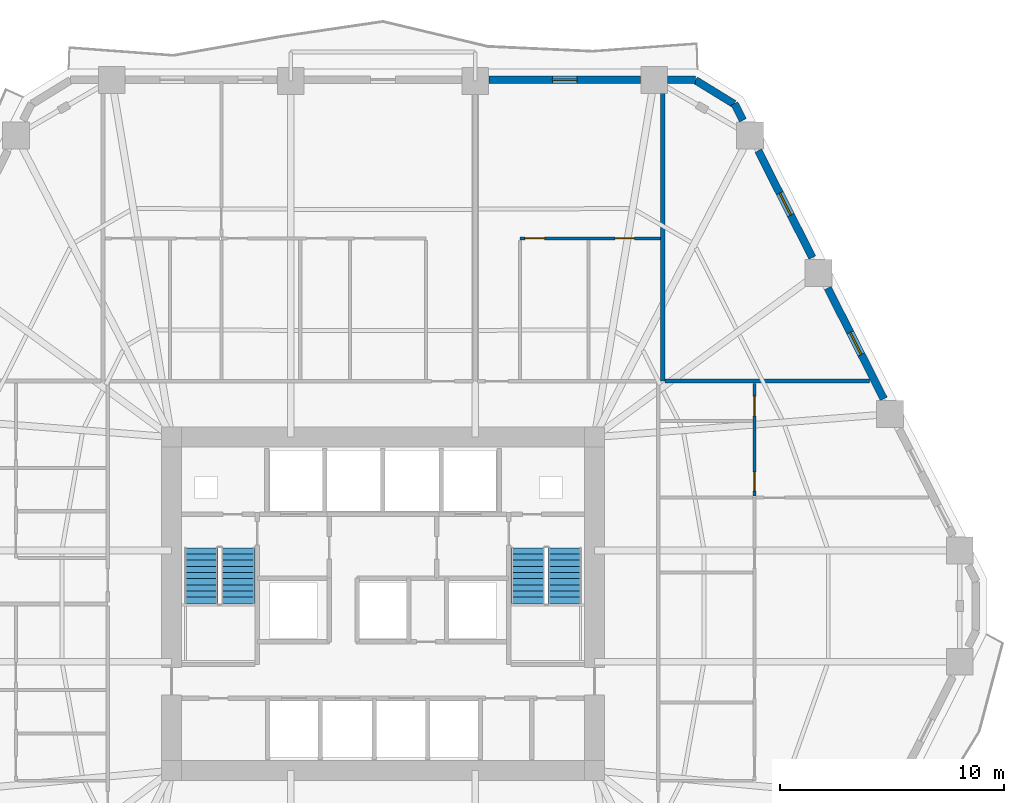
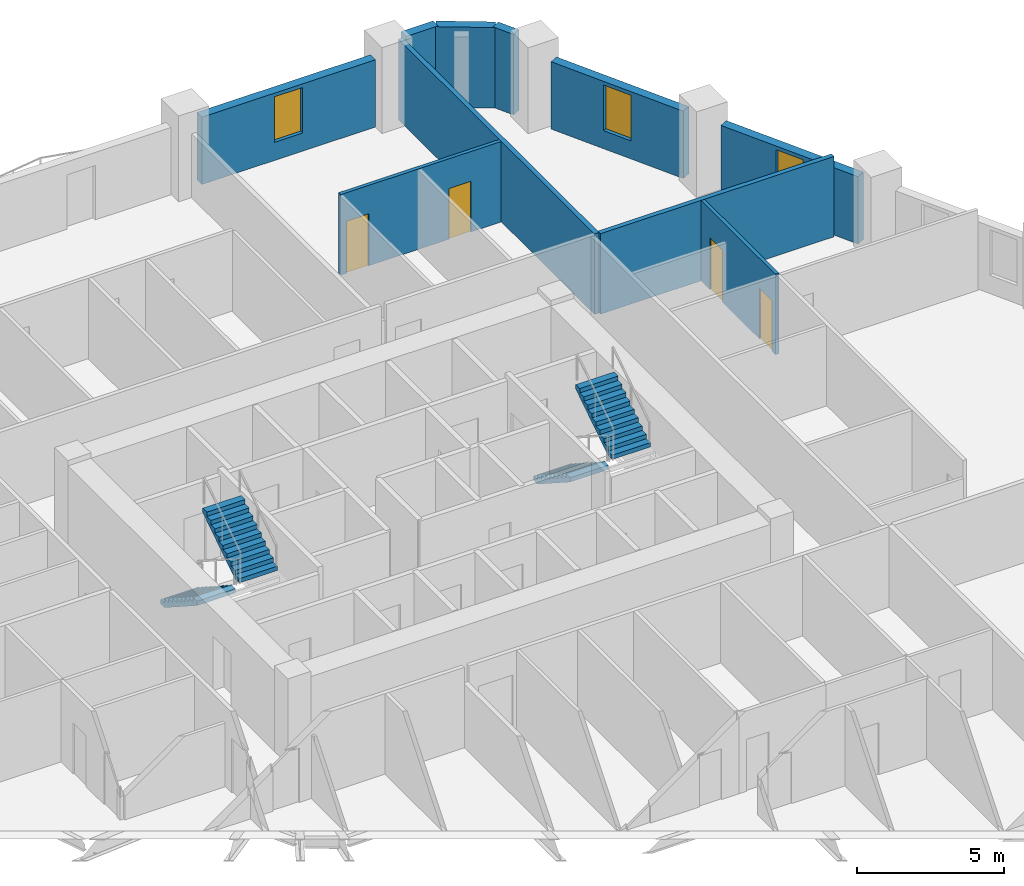
# One storey, part 8 of 12: 10 walls, 4 doors, 4 stair flights, 3 windows, 7 openings, 2 elements without a shape of their own.
"""IFC4 building model written with IfcOpenShell, lengths in metres."""

from ifc_helpers import new_model, si_unit, direction, frame, frame_2d, origin, place, context, subcontext, project, spatial, polyline, rectangle, outline, extrude, material, layer, layer_set, type_object, element, fill, aggregate, save


model = new_model("IFC4")

# Units and contexts
model_context = context("Model", 3, precision=1e-05, world=origin(), true_north=direction((0.0, 1.0)))
body_context = subcontext(model_context, "Body", "Model", "MODEL_VIEW")
ifc_project = project(units=[si_unit("LENGTHUNIT", "METRE"), si_unit("AREAUNIT", "SQUARE_METRE"), si_unit("VOLUMEUNIT", "CUBIC_METRE"), si_unit("PLANEANGLEUNIT", "RADIAN"), si_unit("MASSUNIT", "GRAM", prefix="KILO")], contexts=[model_context])

# Site, building, storey
site_placement = place(None, origin())
site = spatial("IfcSite", under=ifc_project, at=site_placement, CompositionType="ELEMENT")
building_placement = place(site_placement, origin())
building = spatial("IfcBuilding", under=site, at=building_placement, Name="Cinnabar Lancet Tower", CompositionType="ELEMENT")
storey_placement = place(building_placement, frame((0.0, 0.0, 32.0)))
storey = spatial("IfcBuildingStorey", under=building, at=storey_placement, Name="L07", CompositionType="ELEMENT", Elevation=32.0)

# Walls
ifc_material_1 = material(Name="Fire-rated twin-frame acoustic drywall", Category="gypsum")
ifc_layer_1 = layer(ifc_material_1, 0.179931640625)
ifc_layer_set_1 = layer_set([ifc_layer_1], Name="Fire-rated twin-frame acoustic drywall")
wall_type_1 = type_object("IfcWallType", Name="ARC-WL-PARTY-180", PredefinedType="PARTITIONING", material=ifc_layer_set_1)
wall_1_placement = place(storey_placement, frame((44.89990234375, 35.85009765625, 0.0), z_axis=(0.0, 0.0, 1.0), x_axis=(0.0, 1.0, 0.0)))
element("IfcWall", 1, at=wall_1_placement, inside=storey, type_object=wall_type_1, Name="PW-L07-NPTY-449", PredefinedType="PARTITIONING", context=body_context, shape_type="SweptSolid", body=[
    extrude(rectangle(XDim=13.294921875, YDim=0.179931640625, at=frame_2d((6.6474609375, 0.0))), origin(), (0.0, 0.0, 1.0), 3.330078125),
])
wall_2_placement = place(storey_placement, frame((44.9951171875, 35.85009765625, 0.0), z_axis=(0.0, 0.0, 1.0), x_axis=(1.0, 0.0, 0.0)))
element("IfcWall", 2, at=wall_2_placement, inside=storey, type_object=wall_type_1, Name="PW-L07-ENB", PredefinedType="PARTITIONING", context=body_context, shape_type="SweptSolid", body=[
    extrude(rectangle(XDim=9.139892578125, YDim=0.179931640625, at=frame_2d((4.56982421875, 0.0))), origin(), (0.0, 0.0, 1.0), 3.330078125),
])

# Wall, openings, doors
ifc_material_2 = material(Name="Moisture-resistant cement-board plumbing wall", Category="masonry")
ifc_layer_2 = layer(ifc_material_2, 0.139892578125)
ifc_layer_set_2 = layer_set([ifc_layer_2], Name="Moisture-resistant cement-board plumbing wall")
wall_type_2 = type_object("IfcWallType", Name="ARC-WL-WET-140", PredefinedType="PLUMBINGWALL", material=ifc_layer_set_2)
wall_3_placement = place(storey_placement, frame((38.52197265625, 42.23193359375, 0.0), z_axis=(0.0, 0.0, 1.0), x_axis=(1.0, 0.0, 0.0)))
wall_3 = element("IfcWall", 3, at=wall_3_placement, inside=storey, type_object=wall_type_2, Name="UW-L07-N02-SPL", PredefinedType="PLUMBINGWALL", context=body_context, shape_type="SweptSolid", body=[
    extrude(rectangle(XDim=6.282958984375, YDim=0.139892578125, at=frame_2d((3.1416015625, 0.0))), origin(), (0.0, 0.0, 1.0), 3.330078125),
])
opening_1_placement = place(wall_3_placement, frame((4.2470703125, 0.0, 0.0)))
opening_1 = element("IfcOpeningElement", 4, at=opening_1_placement, cuts=wall_3, Name="Opening BD-01", PredefinedType="OPENING", context=body_context, shape_type="SweptSolid", body=[
    extrude(rectangle(XDim=0.860107421875, YDim=2.10009765625, at=frame_2d((0.43017578125, 1.050048828125))), frame((0.0, 0.079833984375, 0.0), z_axis=(0.0, -1.0, 0.0), x_axis=(1.0, 0.0, 0.0)), (0.0, 0.0, 1.0), 0.159912109375),
])
opening_2_placement = place(wall_3_placement, frame((0.219970703125, 0.0, 0.0)))
opening_2 = element("IfcOpeningElement", 5, at=opening_2_placement, cuts=wall_3, Name="Opening RD-02", PredefinedType="OPENING", context=body_context, shape_type="SweptSolid", body=[
    extrude(rectangle(XDim=0.8798828125, YDim=2.14990234375, at=frame_2d((0.43994140625, 1.074951171875))), frame((0.0, 0.079833984375, 0.0), z_axis=(0.0, -1.0, 0.0), x_axis=(1.0, 0.0, 0.0)), (0.0, 0.0, 1.0), 0.159912109375),
])
ifc_material_3 = material(Name="Moisture-resistant timber bathroom door", Category="wood")
door_type_1 = type_object("IfcDoorType", Name="ARC-DR-BATH", OperationType="NOTDEFINED", PredefinedType="DOOR", material=ifc_material_3)
door_1_placement = place(opening_1_placement, origin())
door_1 = element("IfcDoor", 6, at=door_1_placement, inside=storey, type_object=door_type_1, Name="DR-L07-N02-BTH", OperationType="SINGLE_SWING_RIGHT", OverallHeight=2.10009765625, OverallWidth=0.860107421875, PredefinedType="DOOR", context=body_context, shape_type="SweptSolid", body=[
    extrude(rectangle(XDim=0.860107421875, YDim=2.10009765625, at=frame_2d((0.43017578125, 1.050048828125))), frame((0.0, 0.02490234375, 0.0), z_axis=(0.0, -1.0, 0.0), x_axis=(1.0, 0.0, 0.0)), (0.0, 0.0, 1.0), 0.050048828125),
])
fill(opening_1, door_1)
ifc_material_4 = material(Name="Engineered timber study door", Category="wood")
door_type_2 = type_object("IfcDoorType", Name="ARC-DR-STUDY", OperationType="NOTDEFINED", PredefinedType="DOOR", material=ifc_material_4)
door_2_placement = place(opening_2_placement, origin())
door_2 = element("IfcDoor", 7, at=door_2_placement, inside=storey, type_object=door_type_2, Name="DR-L07-N02-KIT", OperationType="SINGLE_SWING_LEFT", OverallHeight=2.14990234375, OverallWidth=0.8798828125, PredefinedType="DOOR", context=body_context, shape_type="SweptSolid", body=[
    extrude(rectangle(XDim=0.8798828125, YDim=2.14990234375, at=frame_2d((0.43994140625, 1.074951171875))), frame((0.0, 0.02490234375, 0.0), z_axis=(0.0, -1.0, 0.0), x_axis=(1.0, 0.0, 0.0)), (0.0, 0.0, 1.0), 0.050048828125),
])
fill(opening_2, door_2)

wall_4_placement = place(storey_placement, frame((49.0, 30.718994140625, 0.0), z_axis=(0.0, 0.0, 1.0), x_axis=(0.0, 1.0, 0.0)))
wall_4 = element("IfcWall", 8, at=wall_4_placement, inside=storey, type_object=wall_type_2, Name="UW-L07-E01-SPM", PredefinedType="PLUMBINGWALL", context=body_context, shape_type="SweptSolid", body=[
    extrude(rectangle(XDim=5.035888671875, YDim=0.139892578125, at=frame_2d((2.51806640625, 0.0))), origin(), (0.0, 0.0, 1.0), 3.330078125),
])
opening_3_placement = place(wall_4_placement, frame((0.219970703125, 0.0, 0.0)))
opening_3 = element("IfcOpeningElement", 9, at=opening_3_placement, cuts=wall_4, Name="Opening BD-01", PredefinedType="OPENING", context=body_context, shape_type="SweptSolid", body=[
    extrude(rectangle(XDim=0.860107421875, YDim=2.10009765625, at=frame_2d((0.43017578125, 1.050048828125))), frame((0.0, 0.079833984375, 0.0), z_axis=(0.0, -1.0, 0.0), x_axis=(1.0, 0.0, 0.0)), (0.0, 0.0, 1.0), 0.159912109375),
])
opening_4_placement = place(wall_4_placement, frame((3.570068359375, 0.0, 0.0)))
opening_4 = element("IfcOpeningElement", 10, at=opening_4_placement, cuts=wall_4, Name="Opening RD-02", PredefinedType="OPENING", context=body_context, shape_type="SweptSolid", body=[
    extrude(rectangle(XDim=0.8798828125, YDim=2.14990234375, at=frame_2d((0.43994140625, 1.074951171875))), frame((0.0, 0.079833984375, 0.0), z_axis=(0.0, -1.0, 0.0), x_axis=(1.0, 0.0, 0.0)), (0.0, 0.0, 1.0), 0.159912109375),
])
door_3_placement = place(opening_3_placement, origin())
door_3 = element("IfcDoor", 11, at=door_3_placement, inside=storey, type_object=door_type_1, Name="DR-L07-E01-ENS", OperationType="SINGLE_SWING_LEFT", OverallHeight=2.10009765625, OverallWidth=0.860107421875, PredefinedType="DOOR", context=body_context, shape_type="SweptSolid", body=[
    extrude(rectangle(XDim=0.860107421875, YDim=2.10009765625, at=frame_2d((0.43017578125, 1.050048828125))), frame((0.0, 0.02490234375, 0.0), z_axis=(0.0, -1.0, 0.0), x_axis=(1.0, 0.0, 0.0)), (0.0, 0.0, 1.0), 0.050048828125),
])
fill(opening_3, door_3)
door_4_placement = place(opening_4_placement, origin())
door_4 = element("IfcDoor", 12, at=door_4_placement, inside=storey, type_object=door_type_2, Name="DR-L07-E01-EWDR", OperationType="SINGLE_SWING_RIGHT", OverallHeight=2.14990234375, OverallWidth=0.8798828125, PredefinedType="DOOR", context=body_context, shape_type="SweptSolid", body=[
    extrude(rectangle(XDim=0.8798828125, YDim=2.14990234375, at=frame_2d((0.43994140625, 1.074951171875))), frame((0.0, 0.02490234375, 0.0), z_axis=(0.0, -1.0, 0.0), x_axis=(1.0, 0.0, 0.0)), (0.0, 0.0, 1.0), 0.050048828125),
])
fill(opening_4, door_4)

# Wall
ifc_material_5 = material(Name="Cinnabar red clay brick", Category="masonry")
ifc_layer_3 = layer(ifc_material_5, 0.340087890625)
ifc_layer_set_3 = layer_set([ifc_layer_3], Name="Cinnabar red clay brick")
wall_type_3 = type_object("IfcWallType", Name="ENV-WL-BRK-RED-340", PredefinedType="STANDARD", material=ifc_layer_set_3)
wall_5_placement = place(storey_placement, frame((48.080078125, 48.238037109375, 0.0), z_axis=(0.0, 0.0, 1.0), x_axis=(-0.851870104345, 0.523753114857, 0.0)))
element("IfcWall", 13, at=wall_5_placement, inside=storey, type_object=wall_type_3, Name="L07 Chamfered Corner Brick Pier 4.1", PredefinedType="STANDARD", context=body_context, shape_type="SweptSolid", body=[
    extrude(rectangle(XDim=2.017822265625, YDim=0.340087890625, at=frame_2d((1.0087890625, 0.0))), origin(), (0.0, 0.0, 1.0), 3.330078125),
])

# Wall, opening, window
wall_6_placement = place(storey_placement, frame((54.77587890625, 35.06103515625, 0.0), z_axis=(0.0, 0.0, 1.0), x_axis=(-0.451592100298, 0.892224509273, 0.0)))
wall_6 = element("IfcWall", 14, at=wall_6_placement, inside=storey, type_object=wall_type_3, Name="L07 Face 3 Masonry Bay Wall 3", PredefinedType="STANDARD", context=body_context, shape_type="SweptSolid", body=[
    extrude(rectangle(XDim=5.546875, YDim=0.340087890625, at=frame_2d((2.7734375, 0.0))), origin(), (0.0, 0.0, 1.0), 2.787109375),
])
opening_5_placement = place(wall_6_placement, frame((2.222900390625, 0.0, 0.75)))
opening_5 = element("IfcOpeningElement", 15, at=opening_5_placement, cuts=wall_6, Name="Opening WN-04", PredefinedType="OPENING", context=body_context, shape_type="SweptSolid", body=[
    extrude(rectangle(XDim=1.10009765625, YDim=1.886962890625, at=frame_2d((0.550048828125, 0.943359375))), frame((0.0, 0.179931640625, 0.0), z_axis=(0.0, -1.0, 0.0), x_axis=(1.0, 0.0, 0.0)), (0.0, 0.0, 1.0), 0.360107421875),
])
ifc_material_6 = material(Name="Thermally broken bronze-anodized aluminium tall lancet window", Category="aluminium")
window_type = type_object("IfcWindowType", Name="ENV-WN-LANCET-1100", PartitioningType="SINGLE_PANEL", PredefinedType="WINDOW", material=ifc_material_6)
window_1_placement = place(opening_5_placement, origin())
window_1 = element("IfcWindow", 16, at=window_1_placement, inside=storey, type_object=window_type, Name="L07 Face 3 Gothic Lancet Window 3", OverallHeight=1.886962890625, OverallWidth=1.10009765625, PartitioningType="SINGLE_PANEL", PredefinedType="WINDOW", context=body_context, shape_type="SweptSolid", body=[
    extrude(rectangle(XDim=1.10009765625, YDim=1.886962890625, at=frame_2d((0.550048828125, 0.943359375))), frame((0.0, 0.030029296875, 0.0), z_axis=(0.0, -1.0, 0.0), x_axis=(1.0, 0.0, 0.0)), (0.0, 0.0, 1.0), 0.06005859375),
])
fill(opening_5, window_1)

wall_7_placement = place(storey_placement, frame((51.5830078125, 41.3720703125, 0.0), z_axis=(0.0, 0.0, 1.0), x_axis=(-0.451697561555, 0.892171123095, 0.0)))
wall_7 = element("IfcWall", 17, at=wall_7_placement, inside=storey, type_object=wall_type_3, Name="L07 Face 3 Masonry Bay Wall 4", PredefinedType="STANDARD", context=body_context, shape_type="SweptSolid", body=[
    extrude(rectangle(XDim=5.350830078125, YDim=0.340087890625, at=frame_2d((2.67529296875, 0.0))), origin(), (0.0, 0.0, 1.0), 2.787109375),
])
opening_6_placement = place(wall_7_placement, frame((2.125, 0.0, 0.75)))
opening_6 = element("IfcOpeningElement", 18, at=opening_6_placement, cuts=wall_7, Name="Opening WN-04", PredefinedType="OPENING", context=body_context, shape_type="SweptSolid", body=[
    extrude(rectangle(XDim=1.10009765625, YDim=1.886962890625, at=frame_2d((0.550048828125, 0.943359375))), frame((0.0, 0.179931640625, 0.0), z_axis=(0.0, -1.0, 0.0), x_axis=(1.0, 0.0, 0.0)), (0.0, 0.0, 1.0), 0.360107421875),
])
window_2_placement = place(opening_6_placement, origin())
window_2 = element("IfcWindow", 19, at=window_2_placement, inside=storey, type_object=window_type, Name="L07 Face 3 Gothic Lancet Window 4", OverallHeight=1.886962890625, OverallWidth=1.10009765625, PartitioningType="SINGLE_PANEL", PredefinedType="WINDOW", context=body_context, shape_type="SweptSolid", body=[
    extrude(rectangle(XDim=1.10009765625, YDim=1.886962890625, at=frame_2d((0.550048828125, 0.943359375))), frame((0.0, 0.030029296875, 0.0), z_axis=(0.0, -1.0, 0.0), x_axis=(1.0, 0.0, 0.0)), (0.0, 0.0, 1.0), 0.06005859375),
])
fill(opening_6, window_2)

# Walls
wall_8_placement = place(storey_placement, frame((48.47802734375, 47.508056640625, 0.0), z_axis=(0.0, 0.0, 1.0), x_axis=(-0.451995771866, 0.892020079491, 0.0)))
element("IfcWall", 20, at=wall_8_placement, inside=storey, type_object=wall_type_3, Name="L07 Face 3 Masonry Bay Wall 5", PredefinedType="STANDARD", context=body_context, shape_type="SweptSolid", body=[
    extrude(rectangle(XDim=0.836181640625, YDim=0.340087890625, at=frame_2d((0.41796875, 0.0))), origin(), (0.0, 0.0, 1.0), 3.330078125),
])
wall_9_placement = place(storey_placement, frame((46.365966796875, 49.320068359375, 0.0), z_axis=(0.0, 0.0, 1.0), x_axis=(-1.0, 0.0, 0.0)))
element("IfcWall", 21, at=wall_9_placement, inside=storey, type_object=wall_type_3, Name="L07 Face 4 Masonry Bay Wall 1", PredefinedType="STANDARD", context=body_context, shape_type="SweptSolid", body=[
    extrude(rectangle(XDim=1.244873046875, YDim=0.340087890625, at=frame_2d((0.62255859375, 0.0))), origin(), (0.0, 0.0, 1.0), 3.330078125),
])

# Wall, opening, window
wall_10_placement = place(storey_placement, frame((43.9130859375, 49.320068359375, 0.0), z_axis=(0.0, 0.0, 1.0), x_axis=(-1.0, 0.0, 0.0)))
wall_10 = element("IfcWall", 22, at=wall_10_placement, inside=storey, type_object=wall_type_3, Name="L07 Face 4 Masonry Bay Wall 2", PredefinedType="STANDARD", context=body_context, shape_type="SweptSolid", body=[
    extrude(rectangle(XDim=6.787109375, YDim=0.340087890625, at=frame_2d((3.3935546875, 0.0))), origin(), (0.0, 0.0, 1.0), 2.787109375),
])
opening_7_placement = place(wall_10_placement, frame((2.843017578125, 0.0, 0.75)))
opening_7 = element("IfcOpeningElement", 23, at=opening_7_placement, cuts=wall_10, Name="Opening WN-04", PredefinedType="OPENING", context=body_context, shape_type="SweptSolid", body=[
    extrude(rectangle(XDim=1.10009765625, YDim=1.886962890625, at=frame_2d((0.550048828125, 0.943359375))), frame((0.0, 0.179931640625, 0.0), z_axis=(0.0, -1.0, 0.0), x_axis=(1.0, 0.0, 0.0)), (0.0, 0.0, 1.0), 0.360107421875),
])
window_3_placement = place(opening_7_placement, origin())
window_3 = element("IfcWindow", 24, at=window_3_placement, inside=storey, type_object=window_type, Name="L07 Face 4 Gothic Lancet Window 2", OverallHeight=1.886962890625, OverallWidth=1.10009765625, PartitioningType="SINGLE_PANEL", PredefinedType="WINDOW", context=body_context, shape_type="SweptSolid", body=[
    extrude(rectangle(XDim=1.10009765625, YDim=1.886962890625, at=frame_2d((0.550048828125, 0.943359375))), frame((0.0, 0.030029296875, 0.0), z_axis=(0.0, -1.0, 0.0), x_axis=(1.0, 0.0, 0.0)), (0.0, 0.0, 1.0), 0.06005859375),
])
fill(opening_7, window_3)

# Stair, stair flights
ifc_material_7 = material(Name="Concrete C40/50", Category="concrete")
stair_type = type_object("IfcStairType", Name="ST-CORE", PredefinedType="HALF_TURN_STAIR", material=ifc_material_7)
stair_1_placement = place(storey_placement, origin())
stair_1 = element("IfcStair", 25, at=stair_1_placement, inside=storey, type_object=stair_type, Name="L07 ST-1", PredefinedType="HALF_TURN_STAIR")
ifc_material_8 = material(Name="Concrete C40/50", Category="concrete")
stair_flight_type = type_object("IfcStairFlightType", Name="FLIGHT-CORE", PredefinedType="STRAIGHT", material=ifc_material_8)
stair_flight_1_placement = place(storey_placement, frame((24.27490234375, 28.39990234375, 0.0), z_axis=(0.0, 0.0, 1.0), x_axis=(0.0, -1.0, 0.0)))
stair_flight_1 = element("IfcStairFlight", 26, at=stair_flight_1_placement, type_object=stair_flight_type, Name="ST-1 flight 1", NumberOfRisers=10, NumberOfTreads=9, PredefinedType="STRAIGHT", RiserHeight=0.1775, TreadLength=0.275, context=body_context, shape_type="SweptSolid", body=[
    extrude(outline(polyline([(0.0, 0.0), (0.0, 0.177490234375), (0.27490234375, 0.177490234375), (0.27490234375, 0.35498046875), (0.550048828125, 0.35498046875), (0.550048828125, 0.532470703125), (0.824951171875, 0.532470703125), (0.824951171875, 0.7099609375), (1.10009765625, 0.7099609375), (1.10009765625, 0.887451171875), (1.375, 0.887451171875), (1.375, 1.06494140625), (1.64990234375, 1.06494140625), (1.64990234375, 1.242431640625), (1.925048828125, 1.242431640625), (1.925048828125, 1.419921875), (2.199951171875, 1.419921875), (2.199951171875, 1.597412109375), (2.47509765625, 1.597412109375), (2.47509765625, 1.77490234375), (2.47509765625, 1.419189453125), (0.2763671875, 0.0), (0.0, 0.0)])), frame((0.0, 0.75, 0.0), z_axis=(0.0, -1.0, 0.0), x_axis=(1.0, 0.0, 0.0)), (0.0, 0.0, 1.0), 1.5),
])
stair_flight_2_placement = place(storey_placement, frame((25.925048828125, 25.925048828125, 1.77490234375), z_axis=(0.0, 0.0, 1.0), x_axis=(0.0, 1.0, 0.0)))
stair_flight_2 = element("IfcStairFlight", 27, at=stair_flight_2_placement, type_object=stair_flight_type, Name="ST-1 flight 2", NumberOfRisers=10, NumberOfTreads=9, PredefinedType="STRAIGHT", RiserHeight=0.1775, TreadLength=0.275, context=body_context, shape_type="SweptSolid", body=[
    extrude(outline(polyline([(0.0, 0.0), (0.0, 0.177490234375), (0.27490234375, 0.177490234375), (0.27490234375, 0.35498046875), (0.550048828125, 0.35498046875), (0.550048828125, 0.532470703125), (0.824951171875, 0.532470703125), (0.824951171875, 0.7099609375), (1.10009765625, 0.7099609375), (1.10009765625, 0.887451171875), (1.375, 0.887451171875), (1.375, 1.06494140625), (1.64990234375, 1.06494140625), (1.64990234375, 1.242431640625), (1.925048828125, 1.242431640625), (1.925048828125, 1.419921875), (2.199951171875, 1.419921875), (2.199951171875, 1.597412109375), (2.47509765625, 1.597412109375), (2.47509765625, 1.77490234375), (2.47509765625, 1.419189453125), (0.2763671875, 0.0), (0.0, 0.0)])), frame((0.0, 0.75, 0.0), z_axis=(0.0, -1.0, 0.0), x_axis=(1.0, 0.0, 0.0)), (0.0, 0.0, 1.0), 1.5),
])
aggregate(stair_1, [stair_flight_1, stair_flight_2])

stair_2_placement = place(storey_placement, origin())
stair_2 = element("IfcStair", 28, at=stair_2_placement, inside=storey, type_object=stair_type, Name="L07 ST-2", PredefinedType="HALF_TURN_STAIR")
stair_flight_3_placement = place(storey_placement, frame((38.875, 28.39990234375, 0.0), z_axis=(0.0, 0.0, 1.0), x_axis=(0.0, -1.0, 0.0)))
stair_flight_3 = element("IfcStairFlight", 29, at=stair_flight_3_placement, type_object=stair_flight_type, Name="ST-2 flight 1", NumberOfRisers=10, NumberOfTreads=9, PredefinedType="STRAIGHT", RiserHeight=0.1775, TreadLength=0.275, context=body_context, shape_type="SweptSolid", body=[
    extrude(outline(polyline([(0.0, 0.0), (0.0, 0.177490234375), (0.27490234375, 0.177490234375), (0.27490234375, 0.35498046875), (0.550048828125, 0.35498046875), (0.550048828125, 0.532470703125), (0.824951171875, 0.532470703125), (0.824951171875, 0.7099609375), (1.10009765625, 0.7099609375), (1.10009765625, 0.887451171875), (1.375, 0.887451171875), (1.375, 1.06494140625), (1.64990234375, 1.06494140625), (1.64990234375, 1.242431640625), (1.925048828125, 1.242431640625), (1.925048828125, 1.419921875), (2.199951171875, 1.419921875), (2.199951171875, 1.597412109375), (2.47509765625, 1.597412109375), (2.47509765625, 1.77490234375), (2.47509765625, 1.419189453125), (0.2763671875, 0.0), (0.0, 0.0)])), frame((0.0, 0.75, 0.0), z_axis=(0.0, -1.0, 0.0), x_axis=(1.0, 0.0, 0.0)), (0.0, 0.0, 1.0), 1.5),
])
stair_flight_4_placement = place(storey_placement, frame((40.52490234375, 25.925048828125, 1.77490234375), z_axis=(0.0, 0.0, 1.0), x_axis=(0.0, 1.0, 0.0)))
stair_flight_4 = element("IfcStairFlight", 30, at=stair_flight_4_placement, type_object=stair_flight_type, Name="ST-2 flight 2", NumberOfRisers=10, NumberOfTreads=9, PredefinedType="STRAIGHT", RiserHeight=0.1775, TreadLength=0.275, context=body_context, shape_type="SweptSolid", body=[
    extrude(outline(polyline([(0.0, 0.0), (0.0, 0.177490234375), (0.27490234375, 0.177490234375), (0.27490234375, 0.35498046875), (0.550048828125, 0.35498046875), (0.550048828125, 0.532470703125), (0.824951171875, 0.532470703125), (0.824951171875, 0.7099609375), (1.10009765625, 0.7099609375), (1.10009765625, 0.887451171875), (1.375, 0.887451171875), (1.375, 1.06494140625), (1.64990234375, 1.06494140625), (1.64990234375, 1.242431640625), (1.925048828125, 1.242431640625), (1.925048828125, 1.419921875), (2.199951171875, 1.419921875), (2.199951171875, 1.597412109375), (2.47509765625, 1.597412109375), (2.47509765625, 1.77490234375), (2.47509765625, 1.419189453125), (0.2763671875, 0.0), (0.0, 0.0)])), frame((0.0, 0.75, 0.0), z_axis=(0.0, -1.0, 0.0), x_axis=(1.0, 0.0, 0.0)), (0.0, 0.0, 1.0), 1.5),
])
aggregate(stair_2, [stair_flight_3, stair_flight_4])

save(model, "model.ifc")
